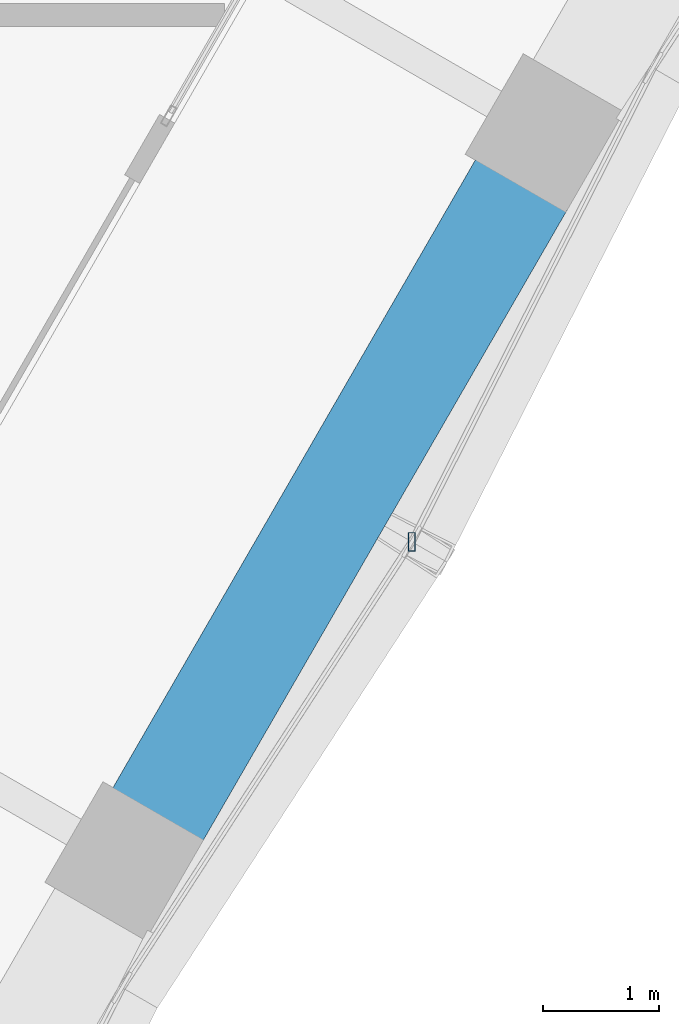
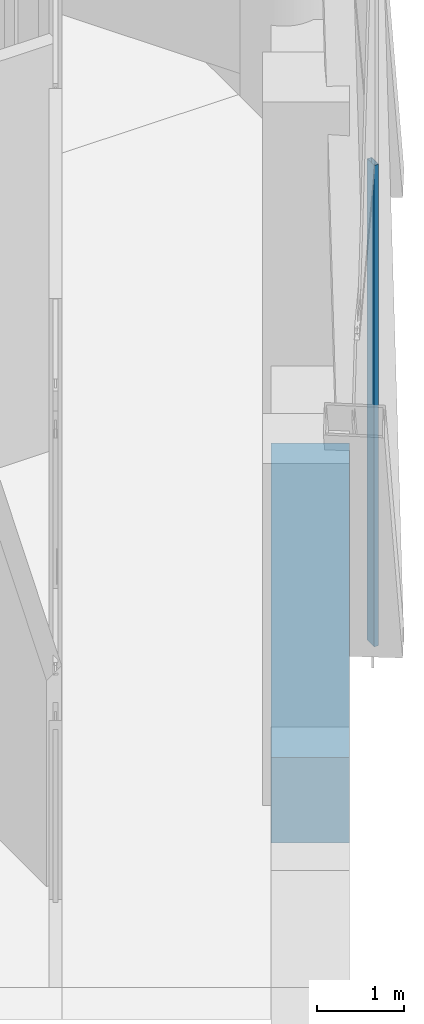
# One storey, part 20 of 43: 1 beam, 1 member, 1 element without a shape of its own.
"""IFC4 building model written with IfcOpenShell, lengths in metres."""

from ifc_helpers import new_model, si_unit, direction, frame, origin, origin_2d, place, context, subcontext, project, spatial, rectangle, hollow_rectangle, extrude, material, material_profile, profile_set, type_object, element, aggregate, save


model = new_model("IFC4")

# Units and contexts
model_context = context("Model", 3, precision=1e-05, world=origin(), true_north=direction((0.0, 1.0)))
body_context = subcontext(model_context, "Body", "Model", "MODEL_VIEW")
ifc_project = project(units=[si_unit("LENGTHUNIT", "METRE"), si_unit("AREAUNIT", "SQUARE_METRE"), si_unit("VOLUMEUNIT", "CUBIC_METRE"), si_unit("PLANEANGLEUNIT", "RADIAN"), si_unit("MASSUNIT", "GRAM", prefix="KILO")], contexts=[model_context])

# Site, building, storey
site_placement = place(None, origin())
site = spatial("IfcSite", under=ifc_project, at=site_placement, CompositionType="ELEMENT")
building_placement = place(site_placement, origin())
building = spatial("IfcBuilding", under=site, at=building_placement, Name="Ostrander Bayou Hotel Tower", CompositionType="ELEMENT")
storey_placement = place(building_placement, frame((0.0, 0.0, 151.0)))
storey = spatial("IfcBuildingStorey", under=building, at=storey_placement, Name="L37", CompositionType="ELEMENT", Elevation=151.0)

# Curtain wall, member
ifc_material_1 = material(Name="Aluminium and clear glass", Category="aluminium")
curtain_wall_type = type_object("IfcCurtainWallType", Name="CW-LAT lattice glazing", PredefinedType="NOTDEFINED", material=ifc_material_1)
curtain_wall_placement = place(storey_placement, origin())
curtain_wall = element("IfcCurtainWall", 1, at=curtain_wall_placement, inside=storey, type_object=curtain_wall_type, Name="CW-LAT L37 SE 1", PredefinedType="NOTDEFINED")
ifc_material_2 = material(Name="Aluminium", Category="aluminium")
ifc_material_profile_1 = material_profile(ifc_material_2, hollow_rectangle(XDim=0.06005859375, YDim=0.159912109375, WallThickness=0.00390625, at=origin_2d()))
ifc_profile_set_1 = profile_set([ifc_material_profile_1], Name="Aluminium")
member_type = type_object("IfcMemberType", Name="CW-LA mullion 60 x 160 mm", PredefinedType="MULLION", material=ifc_profile_set_1)
member_placement = place(storey_placement, frame((16.51513671875, -9.534912109375, -0.60009765625), z_axis=(0.0, 0.0, 1.0), x_axis=(1.0, 0.0, 0.0)))
member = element("IfcMember", 2, at=member_placement, type_object=member_type, Name="CW-LAT mullion 4", PredefinedType="MULLION", context=body_context, shape_type="SweptSolid", body=[
    extrude(hollow_rectangle(XDim=0.06005859375, YDim=0.159912109375, WallThickness=0.00390625, at=origin_2d()), origin(), (0.0, 0.0, 1.0), 6.75),
])
aggregate(curtain_wall, [member])

# Beam
ifc_material_3 = material(Name="Concrete f'c 60 MPa", Category="concrete")
ifc_material_profile_2 = material_profile(ifc_material_3, rectangle(XDim=0.89990234375, YDim=1.199951171875, at=origin_2d()))
ifc_profile_set_2 = profile_set([ifc_material_profile_2], Name="Concrete f'c 60 MPa")
beam_type = type_object("IfcBeamType", Name="SP3 spandrel beam 900 x 1200 mm f'c 60 MPa", PredefinedType="SPANDREL", material=ifc_profile_set_2)
beam_placement = place(storey_placement, frame((14.3173828125, -11.9013671875, -0.60009765625), z_axis=(0.500013351051, 0.866017695414, 0.0), x_axis=(-0.866017695414, 0.500013351051, 0.0)))
element("IfcBeam", 3, at=beam_placement, inside=storey, type_object=beam_type, Name="SP3 L37 SE-2", PredefinedType="SPANDREL", context=body_context, shape_type="SweptSolid", body=[
    extrude(rectangle(XDim=0.89990234375, YDim=1.199951171875, at=origin_2d()), origin(), (0.0, 0.0, 1.0), 6.296142578125),
])

save(model, "model.ifc")
